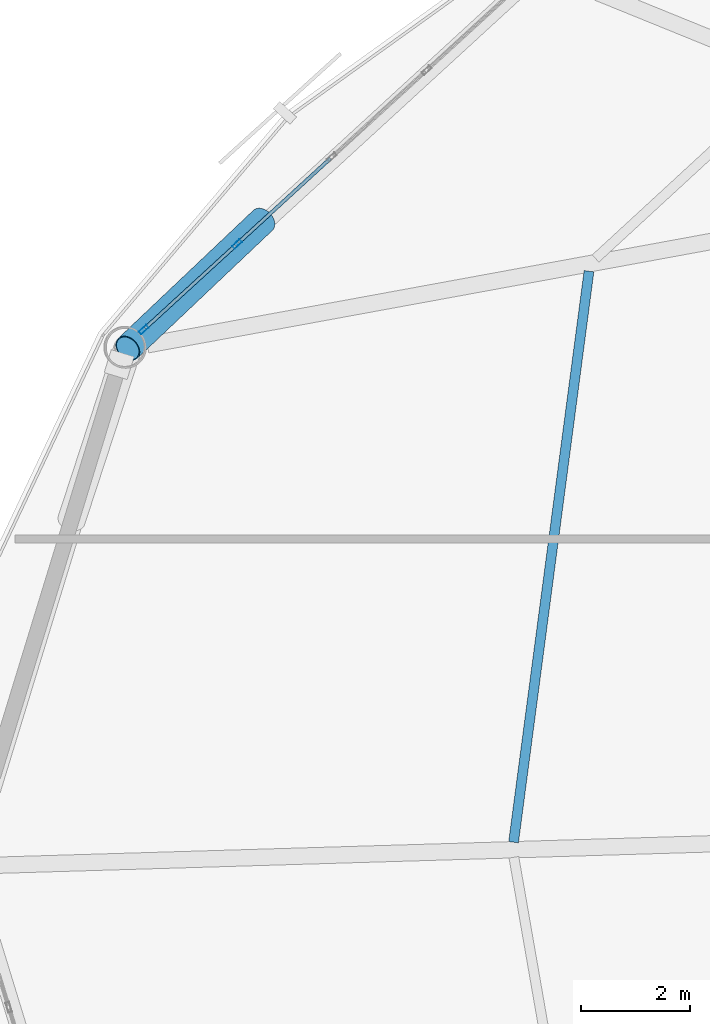
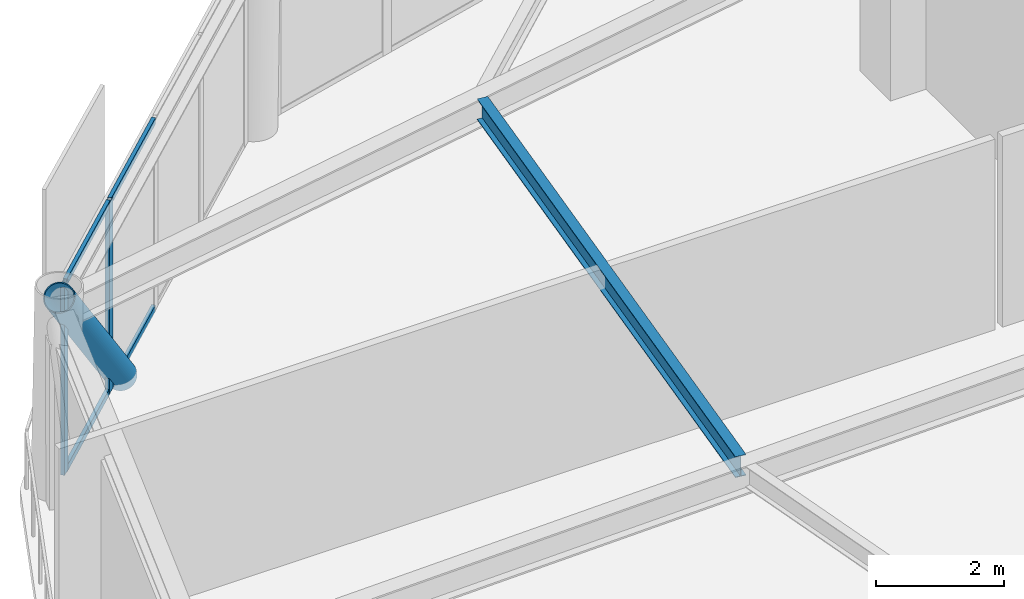
# One storey, part 11 of 27: 7 members, 1 beam, 1 element without a shape of its own.
"""IFC4 building model written with IfcOpenShell, lengths in metres."""

from ifc_helpers import new_model, si_unit, direction, frame, origin, origin_2d, place, context, subcontext, project, spatial, hollow_rectangle, hollow_circle, i_section, extrude, material, layer, layer_set, material_profile, profile_set, type_object, element, aggregate, save


model = new_model("IFC4")

# Units and contexts
model_context = context("Model", 3, precision=1e-05, world=origin(), true_north=direction((0.0, 1.0)))
body_context = subcontext(model_context, "Body", "Model", "MODEL_VIEW")
ifc_project = project(units=[si_unit("LENGTHUNIT", "METRE"), si_unit("AREAUNIT", "SQUARE_METRE"), si_unit("VOLUMEUNIT", "CUBIC_METRE"), si_unit("PLANEANGLEUNIT", "RADIAN"), si_unit("MASSUNIT", "GRAM", prefix="KILO")], contexts=[model_context])

# Site, building, storey
site_placement = place(None, origin())
site = spatial("IfcSite", under=ifc_project, at=site_placement, CompositionType="ELEMENT")
building_placement = place(site_placement, origin())
building = spatial("IfcBuilding", under=site, at=building_placement, Name="Varnakorn Sky Granary", CompositionType="ELEMENT")
storey_placement = place(building_placement, frame((0.0, 0.0, 142.199951171875)))
storey = spatial("IfcBuildingStorey", under=building, at=storey_placement, Name="L35", CompositionType="ELEMENT", Elevation=142.199951171875)

# Beam
ifc_material_1 = material(Name="Steel S355JR", Category="steel")
ifc_material_profile_1 = material_profile(ifc_material_1, i_section(OverallWidth=0.179931640625, OverallDepth=0.39990234375, WebThickness=0.008544921875, FlangeThickness=0.013427734375, at=origin_2d()), Name="IPE 400")
ifc_profile_set_1 = profile_set([ifc_material_profile_1], Name="Steel S355JR")
beam_type = type_object("IfcBeamType", Name="BM-SEC-Z3", PredefinedType="BEAM", material=ifc_profile_set_1)
beam_placement = place(storey_placement, frame((-10.974609375, 10.91650390625, 3.43994140625), z_axis=(-0.130945651193, -0.991389548277, 0.0), x_axis=(0.991389548277, -0.130945651193, 0.0)))
element("IfcBeam", 1, at=beam_placement, inside=storey, type_object=beam_type, Name="Secondary Floor Chord Beam MSB06 L35", PredefinedType="BEAM", context=body_context, shape_type="SweptSolid", body=[
    extrude(i_section(OverallWidth=0.179931640625, OverallDepth=0.39990234375, WebThickness=0.008544921875, FlangeThickness=0.013427734375, at=origin_2d()), origin(), (0.0, 0.0, 1.0), 10.569580078125),
])

# Curtain wall, members
ifc_material_2 = material(Name="Anodised Bronze Aluminium Alloy 6063-T6", Category="aluminium")
ifc_layer = layer(ifc_material_2, 0.179931640625, Name="Anodised Bronze Aluminium Alloy 6063-T6")
ifc_layer_set = layer_set([ifc_layer], Name="Anodised Bronze Aluminium Alloy 6063-T6")
curtain_wall_type = type_object("IfcCurtainWallType", Name="CW-FRM-2", PredefinedType="USERDEFINED", material=ifc_layer_set)
curtain_wall_placement = place(storey_placement, origin())
curtain_wall = element("IfcCurtainWall", 2, at=curtain_wall_placement, inside=storey, type_object=curtain_wall_type, Name="Unitised Curtain Wall CW4 CW-L35-B05", ObjectType="CURTAIN WALL", PredefinedType="USERDEFINED")
ifc_material_profile_2 = material_profile(ifc_material_2, hollow_rectangle(XDim=0.070068359375, YDim=0.18505859375, WallThickness=0.00390625, at=origin_2d()), Name="ALU MULL 70x185")
ifc_profile_set_2 = profile_set([ifc_material_profile_2], Name="Anodised Bronze Aluminium Alloy 6063-T6")
member_type_1 = type_object("IfcMemberType", Name="CW-FRM-2-MULL", PredefinedType="MULLION", material=ifc_profile_set_2)
member_1_placement = place(storey_placement, frame((-19.146728515625, 9.845703125, 0.0), z_axis=(0.0, 0.0, 1.0), x_axis=(-0.675684798243, 0.737190649305, 0.0)))
member_1 = element("IfcMember", 3, at=member_1_placement, type_object=member_type_1, Name="CW4 mullion 1", PredefinedType="MULLION", context=body_context, shape_type="SweptSolid", body=[
    extrude(hollow_rectangle(XDim=0.070068359375, YDim=0.18505859375, WallThickness=0.00390625, at=origin_2d()), origin(), (0.0, 0.0, 1.0), 3.64013671875),
])
member_2_placement = place(storey_placement, frame((-17.43359375, 11.416015625, 0.0), z_axis=(0.0, 0.0, 1.0), x_axis=(-0.675684798243, 0.737190649305, 0.0)))
member_2 = element("IfcMember", 4, at=member_2_placement, type_object=member_type_1, Name="CW4 mullion 2", PredefinedType="MULLION", context=body_context, shape_type="SweptSolid", body=[
    extrude(hollow_rectangle(XDim=0.070068359375, YDim=0.18505859375, WallThickness=0.00390625, at=origin_2d()), origin(), (0.0, 0.0, 1.0), 3.64013671875),
])
ifc_material_profile_3 = material_profile(ifc_material_2, hollow_rectangle(XDim=0.06494140625, YDim=0.1201171875, WallThickness=0.00341796875, at=origin_2d()), Name="ALU TRAN 65x120")
ifc_profile_set_3 = profile_set([ifc_material_profile_3], Name="Anodised Bronze Aluminium Alloy 6063-T6")
member_type_2 = type_object("IfcMemberType", Name="CW-FRM-2-TRAN", PredefinedType="USERDEFINED", material=ifc_profile_set_3)
member_3_placement = place(storey_placement, frame((-19.12109375, 9.869384765625, 0.032470703125), z_axis=(0.737248544371, 0.675621627705, 0.0), x_axis=(-0.675621627705, 0.737248544371, 0.0)))
member_3 = element("IfcMember", 5, at=member_3_placement, type_object=member_type_2, Name="CW4 transom 1.1", ObjectType="TRANSOM", PredefinedType="USERDEFINED", context=body_context, shape_type="SweptSolid", body=[
    extrude(hollow_rectangle(XDim=0.06494140625, YDim=0.1201171875, WallThickness=0.00341796875, at=origin_2d()), origin(), (0.0, 0.0, 1.0), 2.254150390625),
])
member_4_placement = place(storey_placement, frame((-19.12109375, 9.869384765625, 3.607666015625), z_axis=(0.737248544371, 0.675621627705, 0.0), x_axis=(-0.675621627705, 0.737248544371, 0.0)))
member_4 = element("IfcMember", 6, at=member_4_placement, type_object=member_type_2, Name="CW4 transom 1.2", ObjectType="TRANSOM", PredefinedType="USERDEFINED", context=body_context, shape_type="SweptSolid", body=[
    extrude(hollow_rectangle(XDim=0.06494140625, YDim=0.1201171875, WallThickness=0.00341796875, at=origin_2d()), origin(), (0.0, 0.0, 1.0), 2.254150390625),
])
member_5_placement = place(storey_placement, frame((-17.40771484375, 11.439697265625, 0.032470703125), z_axis=(0.737207264756, 0.675666669883, 0.0), x_axis=(-0.675666669883, 0.737207264756, 0.0)))
member_5 = element("IfcMember", 7, at=member_5_placement, type_object=member_type_2, Name="CW4 transom 2.1", ObjectType="TRANSOM", PredefinedType="USERDEFINED", context=body_context, shape_type="SweptSolid", body=[
    extrude(hollow_rectangle(XDim=0.06494140625, YDim=0.1201171875, WallThickness=0.00341796875, at=origin_2d()), origin(), (0.0, 0.0, 1.0), 2.2890625),
])
member_6_placement = place(storey_placement, frame((-17.40771484375, 11.439697265625, 3.607666015625), z_axis=(0.737207264756, 0.675666669883, 0.0), x_axis=(-0.675666669883, 0.737207264756, 0.0)))
member_6 = element("IfcMember", 8, at=member_6_placement, type_object=member_type_2, Name="CW4 transom 2.2", ObjectType="TRANSOM", PredefinedType="USERDEFINED", context=body_context, shape_type="SweptSolid", body=[
    extrude(hollow_rectangle(XDim=0.06494140625, YDim=0.1201171875, WallThickness=0.00341796875, at=origin_2d()), origin(), (0.0, 0.0, 1.0), 2.2890625),
])
aggregate(curtain_wall, [member_1, member_2, member_3, member_4, member_5, member_6])

# Member
ifc_material_3 = material(Name="Steel S460M", Category="steel")
ifc_material_profile_4 = material_profile(ifc_material_3, hollow_circle(Radius=0.25390625, WallThickness=0.01806640625, at=origin_2d()), Name="CHS 508x18")
ifc_profile_set_4 = profile_set([ifc_material_profile_4], Name="Steel S460M")
member_type_3 = type_object("IfcMemberType", Name="MB-DIAG-T2", PredefinedType="BRACE", material=ifc_profile_set_4)
member_7_placement = place(storey_placement, frame((-16.962158203125, 11.847900390625, -0.1298828125), z_axis=(-0.487183861858, -0.4615956673, 0.741337524124), x_axis=(0.687786313234, -0.725913209225, 0.0)))
element("IfcMember", 9, at=member_7_placement, inside=storey, type_object=member_type_3, Name="Perimeter CHS Diagrid Brace DG05 L35", PredefinedType="BRACE", context=body_context, shape_type="SweptSolid", body=[
    extrude(hollow_circle(Radius=0.25390625, WallThickness=0.01806640625, at=origin_2d()), origin(), (0.0, 0.0, 1.0), 5.08544921875),
])

save(model, "model.ifc")
